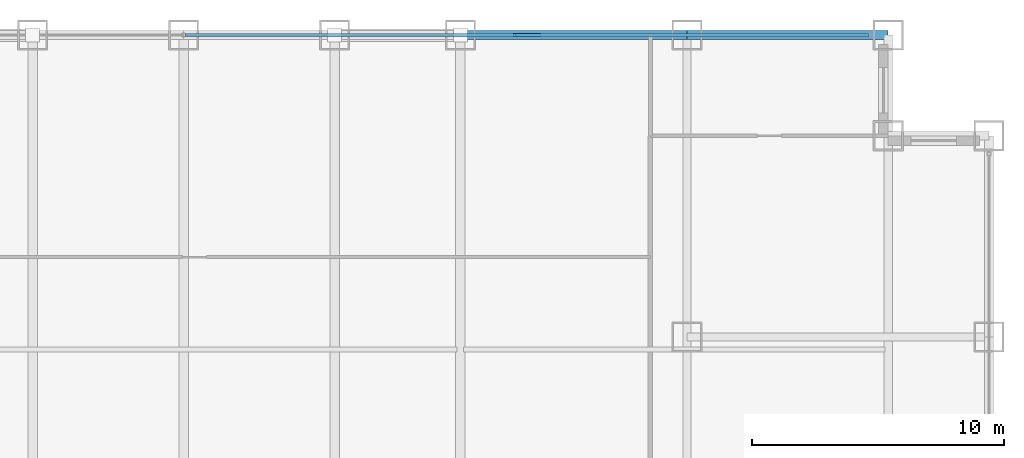
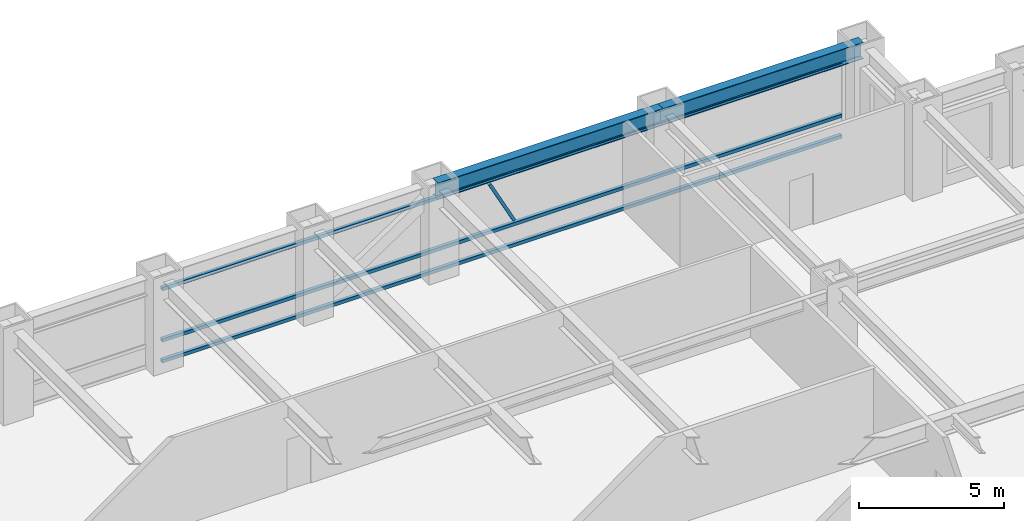
# One storey, part 20 of 27: 4 members, 2 beams, 1 element without a shape of its own.
"""IFC4 building model written with IfcOpenShell, lengths in metres."""

from ifc_helpers import new_model, si_unit, direction, frame, origin, origin_2d, place, context, subcontext, project, spatial, hollow_rectangle, i_section, extrude, source, transform, mapped, material, material_profile, profile_set, type_object, element, aggregate, save


model = new_model("IFC4")

# Units and contexts
model_context = context("Model", 3, precision=1e-05, world=origin(), true_north=direction((0.0, 1.0)))
body_context = subcontext(model_context, "Body", "Model", "MODEL_VIEW")
ifc_project = project(units=[si_unit("LENGTHUNIT", "METRE"), si_unit("AREAUNIT", "SQUARE_METRE"), si_unit("VOLUMEUNIT", "CUBIC_METRE"), si_unit("PLANEANGLEUNIT", "RADIAN"), si_unit("MASSUNIT", "GRAM", prefix="KILO")], contexts=[model_context])

# Site, building, storey
site_placement = place(None, origin())
site = spatial("IfcSite", under=ifc_project, at=site_placement, CompositionType="ELEMENT")
building_placement = place(site_placement, origin())
building = spatial("IfcBuilding", under=site, at=building_placement, Name="Khorayat Bourse Tower", CompositionType="ELEMENT")
storey_placement = place(building_placement, frame((0.0, 0.0, 111.89990234375)))
storey = spatial("IfcBuildingStorey", under=building, at=storey_placement, Name="L25", CompositionType="ELEMENT", Elevation=111.89990234375)

# Beams
ifc_material_1 = material(Name="Steel ASTM A992 Grade 50", Category="steel")
ifc_material_profile_1 = material_profile(ifc_material_1, i_section(OverallWidth=0.35498046875, OverallDepth=0.695068359375, WebThickness=0.015380859375, FlangeThickness=0.02490234375, FilletRadius=0.01806640625, at=origin_2d()), Name="W690X217")
ifc_profile_set_1 = profile_set([ifc_material_profile_1], Name="Steel ASTM A992 Grade 50")
beam_type = type_object("IfcBeamType", Name="BM-SPAN-690", PredefinedType="SPANDREL", material=ifc_profile_set_1)
shared_shape_1 = source(origin(), body_context, "Body", "SweptSolid", [
    extrude(i_section(OverallWidth=0.35498046875, OverallDepth=0.695068359375, WebThickness=0.015380859375, FlangeThickness=0.02490234375, FilletRadius=0.01806640625, at=origin_2d()), origin(), (0.0, 0.0, 1.0), 9.0),
])
beam_1_placement = place(storey_placement, frame((11.0, 32.0, 3.49267578125), z_axis=(1.0, 0.0, 0.0), x_axis=(0.0, 1.0, 0.0)))
element("IfcBeam", 1, at=beam_1_placement, inside=storey, type_object=beam_type, Name="L25 BM-SPAN-690 BM-L25-SPN-045", PredefinedType="SPANDREL", context=body_context, shape_type="MappedRepresentation", body=[
    mapped(shared_shape_1, transform((0.0, 0.0, 0.0), scale=1.0)),
])
shared_shape_2 = source(origin(), body_context, "Body", "SweptSolid", [
    extrude(i_section(OverallWidth=0.35498046875, OverallDepth=0.695068359375, WebThickness=0.015380859375, FlangeThickness=0.02490234375, FilletRadius=0.01806640625, at=origin_2d()), origin(), (0.0, 0.0, 1.0), 8.0),
])
beam_2_placement = place(storey_placement, frame((20.0, 32.0, 3.49267578125), z_axis=(1.0, 0.0, 0.0), x_axis=(0.0, 1.0, 0.0)))
element("IfcBeam", 2, at=beam_2_placement, inside=storey, type_object=beam_type, Name="L25 BM-SPAN-690 BM-L25-SPN-044", PredefinedType="SPANDREL", context=body_context, shape_type="MappedRepresentation", body=[
    mapped(shared_shape_2, transform((0.0, 0.0, 0.0), scale=1.0)),
])

# Curtain wall, members
ifc_material_2 = material(Name="Aluminium EN AW-6063 T6", Category="aluminium")
curtain_wall_type = type_object("IfcCurtainWallType", Name="CW-SYS-02", PredefinedType="NOTDEFINED", material=ifc_material_2)
curtain_wall_placement = place(storey_placement, origin())
curtain_wall = element("IfcCurtainWall", 3, at=curtain_wall_placement, inside=storey, type_object=curtain_wall_type, Name="L25 Curtain Wall CW-L25-N1", PredefinedType="NOTDEFINED")
ifc_material_profile_2 = material_profile(ifc_material_2, hollow_rectangle(XDim=0.139892578125, YDim=0.139892578125, WallThickness=0.006103515625, at=origin_2d()), Name="ALU 140x140x6")
ifc_profile_set_2 = profile_set([ifc_material_profile_2], Name="Aluminium EN AW-6063 T6")
member_type_1 = type_object("IfcMemberType", Name="CWT-HORZ-140", PredefinedType="USERDEFINED", material=ifc_profile_set_2)
shared_shape_3 = source(origin(), body_context, "Body", "SweptSolid", [
    extrude(hollow_rectangle(XDim=0.139892578125, YDim=0.139892578125, WallThickness=0.006103515625, at=origin_2d()), origin(), (0.0, 0.0, 1.0), 27.139892578125),
])
member_1_placement = place(storey_placement, frame((0.070068359375, 32.0, 0.070068359375), z_axis=(1.0, 0.0, 0.0), x_axis=(0.0, 1.0, 0.0)))
member_1 = element("IfcMember", 4, at=member_1_placement, type_object=member_type_1, Name="CW-L25-N1 Horizontal Transom 2-1", ObjectType="TRANSOM", PredefinedType="USERDEFINED", context=body_context, shape_type="MappedRepresentation", body=[
    mapped(shared_shape_3, transform((0.0, 0.0, 0.0), scale=1.0)),
])
member_2_placement = place(storey_placement, frame((0.070068359375, 32.0, 0.9501953125), z_axis=(1.0, 0.0, 0.0), x_axis=(0.0, 1.0, 0.0)))
member_2 = element("IfcMember", 5, at=member_2_placement, type_object=member_type_1, Name="CW-L25-N1 Horizontal Transom 2-2", ObjectType="TRANSOM", PredefinedType="USERDEFINED", context=body_context, shape_type="MappedRepresentation", body=[
    mapped(shared_shape_3, transform((0.0, 0.0, 0.0), scale=1.0)),
])
member_3_placement = place(storey_placement, frame((0.070068359375, 32.0, 3.1201171875), z_axis=(1.0, 0.0, 0.0), x_axis=(0.0, 1.0, 0.0)))
member_3 = element("IfcMember", 6, at=member_3_placement, type_object=member_type_1, Name="CW-L25-N1 Horizontal Transom 2-3", ObjectType="TRANSOM", PredefinedType="USERDEFINED", context=body_context, shape_type="MappedRepresentation", body=[
    mapped(shared_shape_3, transform((0.0, 0.0, 0.0), scale=1.0)),
])
ifc_material_profile_3 = material_profile(ifc_material_2, hollow_rectangle(XDim=0.1201171875, YDim=0.1201171875, WallThickness=0.0048828125, at=origin_2d()), Name="ALU 120x120x5")
ifc_profile_set_3 = profile_set([ifc_material_profile_3], Name="Aluminium EN AW-6063 T6")
member_type_2 = type_object("IfcMemberType", Name="CWM-DIAG-120", PredefinedType="MULLION", material=ifc_profile_set_3)
shared_shape_4 = source(origin(), body_context, "Body", "SweptSolid", [
    extrude(hollow_rectangle(XDim=0.1201171875, YDim=0.1201171875, WallThickness=0.0048828125, at=origin_2d()), origin(), (0.0, 0.0, 1.0), 2.11328125),
])
member_4_placement = place(storey_placement, frame((14.132080078125, 32.0, 1.10009765625), z_axis=(-0.465694055905, 0.0, 0.884945787207), x_axis=(0.0, -1.0, 0.0)))
member_4 = element("IfcMember", 7, at=member_4_placement, type_object=member_type_2, Name="CW-L25-N1 Faceted Diagonal Mullion 2", PredefinedType="MULLION", context=body_context, shape_type="MappedRepresentation", body=[
    mapped(shared_shape_4, transform((0.0, 0.0, 0.0), scale=1.0)),
])
aggregate(curtain_wall, [member_1, member_2, member_3, member_4])

save(model, "model.ifc")
